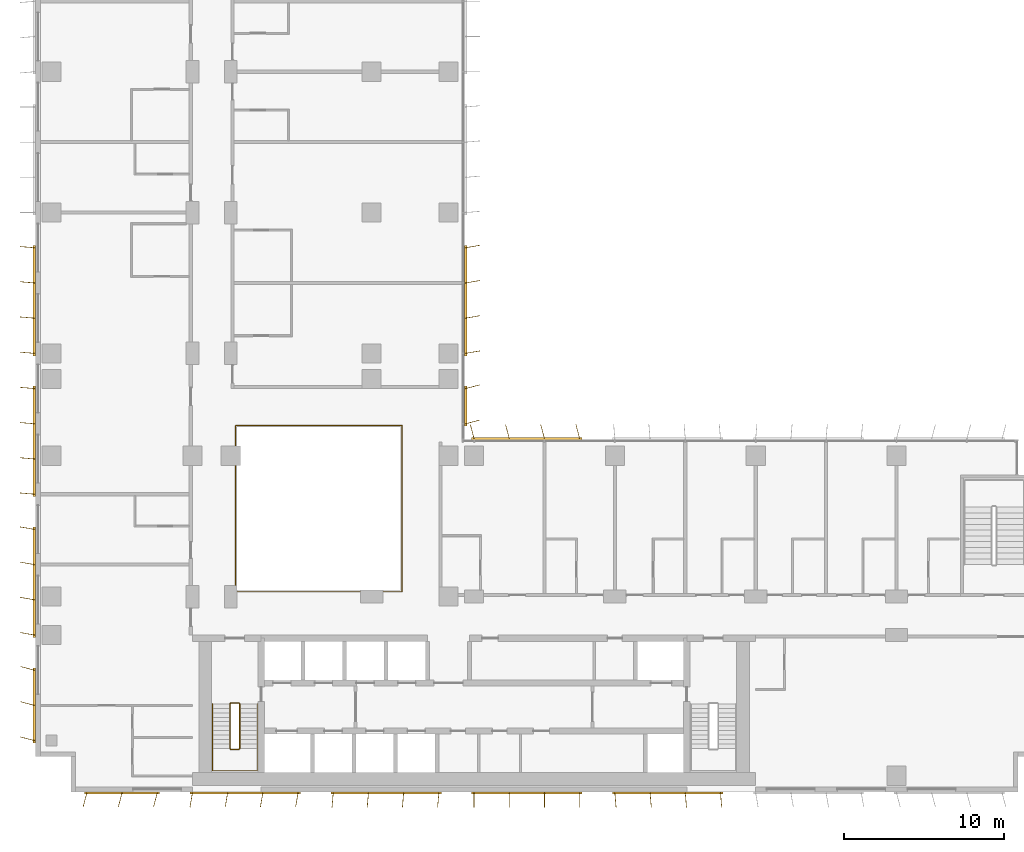
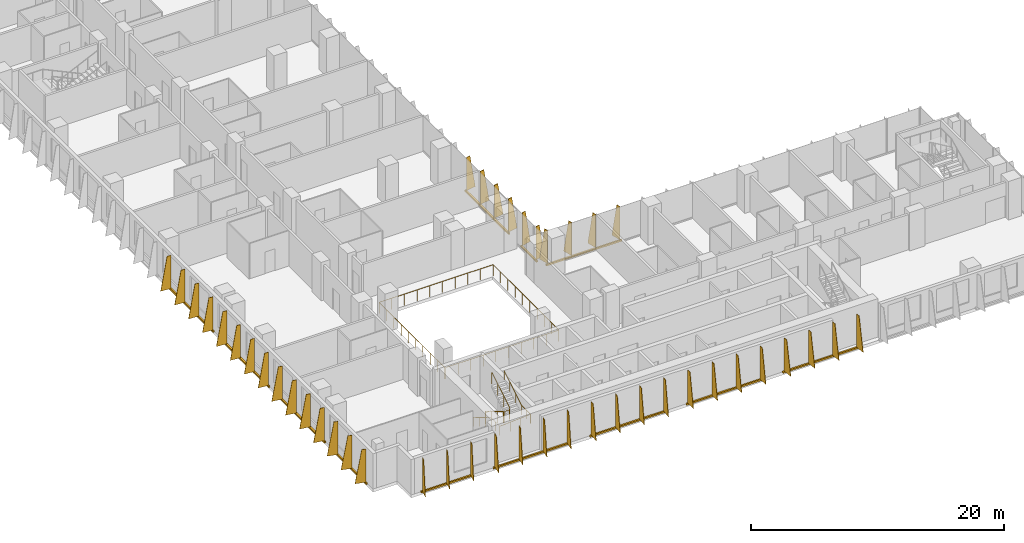
# One storey, part 19 of 22: 12 shading devices, 3 railings.
"""IFC4 building model written with IfcOpenShell, lengths in metres."""

from ifc_helpers import new_model, si_unit, direction, frame, origin, origin_2d, place, context, subcontext, project, spatial, polyline, rectangle, circle, outline, extrude, source, transform, mapped, material, layer, layer_set, type_object, element, save


model = new_model("IFC4")

# Units and contexts
model_context = context("Model", 3, precision=1e-05, world=origin(), true_north=direction((0.0, 1.0)))
body_context = subcontext(model_context, "Body", "Model", "MODEL_VIEW")
ifc_project = project(units=[si_unit("LENGTHUNIT", "METRE"), si_unit("AREAUNIT", "SQUARE_METRE"), si_unit("VOLUMEUNIT", "CUBIC_METRE"), si_unit("PLANEANGLEUNIT", "RADIAN"), si_unit("MASSUNIT", "GRAM", prefix="KILO")], contexts=[model_context])

# Site, building, storey
site_placement = place(None, origin())
site = spatial("IfcSite", under=ifc_project, at=site_placement, CompositionType="ELEMENT")
building_placement = place(site_placement, origin())
building = spatial("IfcBuilding", under=site, at=building_placement, Name="Kemantara Hotel Tower", CompositionType="ELEMENT")
storey_placement = place(building_placement, frame((0.0, 0.0, 111.10009765625)))
storey = spatial("IfcBuildingStorey", under=building, at=storey_placement, Name="L26", CompositionType="ELEMENT", Elevation=111.10009765625)

# Railings
ifc_material_1 = material(Name="Stainless steel and laminated glass balustrade", Category="steel")
railing_type_1 = type_object("IfcRailingType", Name="ATRIUM GUARD 1100", PredefinedType="GUARDRAIL", material=ifc_material_1)
railing_1_placement = place(storey_placement, frame((12.56005859375, 12.5, 0.0)))
element("IfcRailing", 1, at=railing_1_placement, inside=storey, type_object=railing_type_1, Name="ATRIUM GUARD L26", PredefinedType="GUARDRAIL", context=body_context, shape_type="SweptSolid", body=[
    extrude(circle(Radius=0.02490234375, at=origin_2d()), frame((0.0, 0.0, 1.0751953125), z_axis=(1.0, 0.0, 0.0), x_axis=(0.0, 1.0, 0.0)), (0.0, 0.0, 1.0), 10.33984375),
    extrude(circle(Radius=0.02490234375, at=origin_2d()), frame((10.33984375, 0.0, 1.0751953125), z_axis=(0.0, 1.0, 0.0), x_axis=(-1.0, 0.0, 0.0)), (0.0, 0.0, 1.0), 10.39990234375),
    extrude(circle(Radius=0.02490234375, at=origin_2d()), frame((10.33984375, 10.39990234375, 1.0751953125), z_axis=(-1.0, 0.0, 0.0), x_axis=(0.0, -1.0, 0.0)), (0.0, 0.0, 1.0), 10.39990234375),
    extrude(circle(Radius=0.02490234375, at=origin_2d()), frame((-0.06005859375, 10.39990234375, 1.0751953125), z_axis=(0.0, -1.0, 0.0), x_axis=(1.0, 0.0, 0.0)), (0.0, 0.0, 1.0), 10.39990234375),
    extrude(circle(Radius=0.02001953125, at=origin_2d()), origin(), (0.0, 0.0, 1.0), 1.050048828125),
    extrude(circle(Radius=0.02001953125, at=origin_2d()), frame((1.14892578125, 0.0, 0.0)), (0.0, 0.0, 1.0), 1.050048828125),
    extrude(circle(Radius=0.02001953125, at=origin_2d()), frame((2.2978515625, 0.0, 0.0)), (0.0, 0.0, 1.0), 1.050048828125),
    extrude(circle(Radius=0.02001953125, at=origin_2d()), frame((3.446533203125, 0.0, 0.0)), (0.0, 0.0, 1.0), 1.050048828125),
    extrude(circle(Radius=0.02001953125, at=origin_2d()), frame((4.595458984375, 0.0, 0.0)), (0.0, 0.0, 1.0), 1.050048828125),
    extrude(circle(Radius=0.02001953125, at=origin_2d()), frame((5.744384765625, 0.0, 0.0)), (0.0, 0.0, 1.0), 1.050048828125),
    extrude(circle(Radius=0.02001953125, at=origin_2d()), frame((6.893310546875, 0.0, 0.0)), (0.0, 0.0, 1.0), 1.050048828125),
    extrude(circle(Radius=0.02001953125, at=origin_2d()), frame((8.0419921875, 0.0, 0.0)), (0.0, 0.0, 1.0), 1.050048828125),
    extrude(circle(Radius=0.02001953125, at=origin_2d()), frame((9.19091796875, 0.0, 0.0)), (0.0, 0.0, 1.0), 1.050048828125),
    extrude(circle(Radius=0.02001953125, at=origin_2d()), frame((10.33984375, 0.0, 0.0)), (0.0, 0.0, 1.0), 1.050048828125),
    extrude(circle(Radius=0.02001953125, at=origin_2d()), frame((10.33984375, 1.155517578125, 0.0)), (0.0, 0.0, 1.0), 1.050048828125),
    extrude(circle(Radius=0.02001953125, at=origin_2d()), frame((10.33984375, 2.31103515625, 0.0)), (0.0, 0.0, 1.0), 1.050048828125),
    extrude(circle(Radius=0.02001953125, at=origin_2d()), frame((10.33984375, 3.466552734375, 0.0)), (0.0, 0.0, 1.0), 1.050048828125),
    extrude(circle(Radius=0.02001953125, at=origin_2d()), frame((10.33984375, 4.6220703125, 0.0)), (0.0, 0.0, 1.0), 1.050048828125),
    extrude(circle(Radius=0.02001953125, at=origin_2d()), frame((10.33984375, 5.77783203125, 0.0)), (0.0, 0.0, 1.0), 1.050048828125),
    extrude(circle(Radius=0.02001953125, at=origin_2d()), frame((10.33984375, 6.933349609375, 0.0)), (0.0, 0.0, 1.0), 1.050048828125),
    extrude(circle(Radius=0.02001953125, at=origin_2d()), frame((10.33984375, 8.0888671875, 0.0)), (0.0, 0.0, 1.0), 1.050048828125),
    extrude(circle(Radius=0.02001953125, at=origin_2d()), frame((10.33984375, 9.244384765625, 0.0)), (0.0, 0.0, 1.0), 1.050048828125),
    extrude(circle(Radius=0.02001953125, at=origin_2d()), frame((10.33984375, 10.39990234375, 0.0)), (0.0, 0.0, 1.0), 1.050048828125),
    extrude(circle(Radius=0.02001953125, at=origin_2d()), frame((9.184326171875, 10.39990234375, 0.0)), (0.0, 0.0, 1.0), 1.050048828125),
    extrude(circle(Radius=0.02001953125, at=origin_2d()), frame((8.02880859375, 10.39990234375, 0.0)), (0.0, 0.0, 1.0), 1.050048828125),
    extrude(circle(Radius=0.02001953125, at=origin_2d()), frame((6.873291015625, 10.39990234375, 0.0)), (0.0, 0.0, 1.0), 1.050048828125),
    extrude(circle(Radius=0.02001953125, at=origin_2d()), frame((5.7177734375, 10.39990234375, 0.0)), (0.0, 0.0, 1.0), 1.050048828125),
    extrude(circle(Radius=0.02001953125, at=origin_2d()), frame((4.56201171875, 10.39990234375, 0.0)), (0.0, 0.0, 1.0), 1.050048828125),
    extrude(circle(Radius=0.02001953125, at=origin_2d()), frame((3.406494140625, 10.39990234375, 0.0)), (0.0, 0.0, 1.0), 1.050048828125),
    extrude(circle(Radius=0.02001953125, at=origin_2d()), frame((2.2509765625, 10.39990234375, 0.0)), (0.0, 0.0, 1.0), 1.050048828125),
    extrude(circle(Radius=0.02001953125, at=origin_2d()), frame((1.095458984375, 10.39990234375, 0.0)), (0.0, 0.0, 1.0), 1.050048828125),
    extrude(circle(Radius=0.02001953125, at=origin_2d()), frame((-0.06005859375, 10.39990234375, 0.0)), (0.0, 0.0, 1.0), 1.050048828125),
    extrude(circle(Radius=0.02001953125, at=origin_2d()), frame((-0.06005859375, 9.244384765625, 0.0)), (0.0, 0.0, 1.0), 1.050048828125),
    extrude(circle(Radius=0.02001953125, at=origin_2d()), frame((-0.06005859375, 8.0888671875, 0.0)), (0.0, 0.0, 1.0), 1.050048828125),
    extrude(circle(Radius=0.02001953125, at=origin_2d()), frame((-0.06005859375, 6.933349609375, 0.0)), (0.0, 0.0, 1.0), 1.050048828125),
    extrude(circle(Radius=0.02001953125, at=origin_2d()), frame((-0.06005859375, 5.77783203125, 0.0)), (0.0, 0.0, 1.0), 1.050048828125),
    extrude(circle(Radius=0.02001953125, at=origin_2d()), frame((-0.06005859375, 4.6220703125, 0.0)), (0.0, 0.0, 1.0), 1.050048828125),
    extrude(circle(Radius=0.02001953125, at=origin_2d()), frame((-0.06005859375, 3.466552734375, 0.0)), (0.0, 0.0, 1.0), 1.050048828125),
    extrude(circle(Radius=0.02001953125, at=origin_2d()), frame((-0.06005859375, 2.31103515625, 0.0)), (0.0, 0.0, 1.0), 1.050048828125),
    extrude(circle(Radius=0.02001953125, at=origin_2d()), frame((-0.06005859375, 1.155517578125, 0.0)), (0.0, 0.0, 1.0), 1.050048828125),
    extrude(circle(Radius=0.02001953125, at=origin_2d()), frame((-0.06005859375, 0.0, 0.0)), (0.0, 0.0, 1.0), 1.050048828125),
])
ifc_material_2 = material(Name="Stainless steel balustrade", Category="steel")
railing_type_2 = type_object("IfcRailingType", Name="Stair guard 1100 mm", PredefinedType="GUARDRAIL", material=ifc_material_2)
railing_2_placement = place(storey_placement, frame((12.75, 5.5, 3.699951171875)))
element("IfcRailing", 2, at=railing_2_placement, inside=storey, type_object=railing_type_2, Name="L26 ST1 stair guard 1", PredefinedType="GUARDRAIL", context=body_context, shape_type="SweptSolid", body=[
    extrude(circle(Radius=0.02392578125, at=origin_2d()), frame((0.0, 0.0, 1.076171875), z_axis=(0.0, -0.857242210791, -0.514913383045), x_axis=(1.0, 0.0, 0.0)), (0.0, 0.0, 1.0), 3.266357421875),
    extrude(circle(Radius=0.02392578125, at=origin_2d()), frame((0.0, -2.800048828125, -0.60595703125), z_axis=(-0.274243871929, -0.274243871929, -0.92172696468), x_axis=(0.707106781187, -0.707106781187, 0.0)), (0.0, 0.0, 1.0), 0.1826171875),
    extrude(circle(Radius=0.02392578125, at=origin_2d()), frame((-0.050048828125, -2.85009765625, -0.77392578125), z_axis=(-1.0, 0.0, 0.0), x_axis=(0.0, -1.0, 0.0)), (0.0, 0.0, 1.0), 0.5),
    extrude(circle(Radius=0.02392578125, at=origin_2d()), frame((-0.550048828125, -2.85009765625, -0.77392578125), z_axis=(-0.707106781187, 0.707106781187, 0.0), x_axis=(-0.707106781187, -0.707106781187, 0.0)), (0.0, 0.0, 1.0), 0.07080078125),
    extrude(circle(Radius=0.02392578125, at=origin_2d()), frame((-0.60009765625, -2.800048828125, -0.77392578125), z_axis=(0.0, 0.857242210791, -0.514913383045), x_axis=(-1.0, 0.0, 0.0)), (0.0, 0.0, 1.0), 3.266357421875),
    extrude(circle(Radius=0.02392578125, at=origin_2d()), frame((-0.60009765625, 0.0, -2.4560546875), z_axis=(0.274582412415, 0.274582412415, -0.921525364591), x_axis=(-0.707106781187, 0.707106781187, 0.0)), (0.0, 0.0, 1.0), 0.182373046875),
    extrude(circle(Radius=0.02392578125, at=origin_2d()), frame((-0.550048828125, 0.050048828125, -2.6240234375), z_axis=(1.0, 0.0, 0.0), x_axis=(0.0, 1.0, 0.0)), (0.0, 0.0, 1.0), 0.5),
    extrude(circle(Radius=0.02099609375, at=origin_2d()), origin(), (0.0, 0.0, 1.0), 1.052001953125),
    extrude(circle(Radius=0.02099609375, at=origin_2d()), frame((0.0, -0.933349609375, -0.560546875)), (0.0, 0.0, 1.0), 1.052001953125),
    extrude(circle(Radius=0.02099609375, at=origin_2d()), frame((0.0, -1.86669921875, -1.121337890625)), (0.0, 0.0, 1.0), 1.052001953125),
    extrude(circle(Radius=0.02099609375, at=origin_2d()), frame((0.0, -2.800048828125, -1.681884765625)), (0.0, 0.0, 1.0), 1.052001953125),
    extrude(circle(Radius=0.02099609375, at=origin_2d()), frame((-0.050048828125, -2.85009765625, -1.85009765625)), (0.0, 0.0, 1.0), 1.052001953125),
    extrude(circle(Radius=0.02099609375, at=origin_2d()), frame((-0.550048828125, -2.85009765625, -1.85009765625)), (0.0, 0.0, 1.0), 1.052001953125),
    extrude(circle(Radius=0.02099609375, at=origin_2d()), frame((-0.60009765625, -2.800048828125, -1.85009765625)), (0.0, 0.0, 1.0), 1.052001953125),
    extrude(circle(Radius=0.02099609375, at=origin_2d()), frame((-0.60009765625, -1.86669921875, -2.41064453125)), (0.0, 0.0, 1.0), 1.052001953125),
    extrude(circle(Radius=0.02099609375, at=origin_2d()), frame((-0.60009765625, -0.933349609375, -2.971435546875)), (0.0, 0.0, 1.0), 1.052001953125),
    extrude(circle(Radius=0.02099609375, at=origin_2d()), frame((-0.60009765625, 0.0, -3.531982421875)), (0.0, 0.0, 1.0), 1.052001953125),
    extrude(circle(Radius=0.02099609375, at=origin_2d()), frame((-0.550048828125, 0.050048828125, -3.699951171875)), (0.0, 0.0, 1.0), 1.052001953125),
    extrude(circle(Radius=0.02099609375, at=origin_2d()), frame((-0.050048828125, 0.050048828125, -3.699951171875)), (0.0, 0.0, 1.0), 1.052001953125),
])
railing_type_3 = type_object("IfcRailingType", Name="Stair handrail 900 mm", PredefinedType="HANDRAIL", material=ifc_material_2)
railing_3_placement = place(storey_placement, frame((11.050048828125, 5.5, 0.16796875)))
element("IfcRailing", 3, at=railing_3_placement, inside=storey, type_object=railing_type_3, Name="L26 ST1 stair handrail 1", PredefinedType="HANDRAIL", context=body_context, shape_type="SweptSolid", body=[
    extrude(circle(Radius=0.02392578125, at=origin_2d()), frame((0.0, 0.0, 0.8759765625), z_axis=(0.0, -0.857242210791, 0.514913383045), x_axis=(1.0, 0.0, 0.0)), (0.0, 0.0, 1.0), 3.266357421875),
    extrude(circle(Radius=0.02392578125, at=origin_2d()), frame((0.0, -2.800048828125, 2.5576171875), z_axis=(0.0, -1.0, 0.0), x_axis=(1.0, 0.0, 0.0)), (0.0, 0.0, 1.0), 1.3798828125),
    extrude(circle(Radius=0.02392578125, at=origin_2d()), frame((0.0, -4.179931640625, 2.5576171875), z_axis=(0.998200367801, 0.0, 0.059966871865), x_axis=(0.0, 1.0, 0.0)), (0.0, 0.0, 1.0), 2.80517578125),
    extrude(circle(Radius=0.02392578125, at=origin_2d()), frame((2.800048828125, -4.179931640625, 2.72607421875), z_axis=(0.0, 1.0, 0.0), x_axis=(-1.0, 0.0, 0.0)), (0.0, 0.0, 1.0), 1.3798828125),
    extrude(circle(Radius=0.02392578125, at=origin_2d()), frame((2.800048828125, -2.800048828125, 2.72607421875), z_axis=(0.0, 0.857242210791, 0.514913383045), x_axis=(-1.0, 0.0, 0.0)), (0.0, 0.0, 1.0), 3.266357421875),
    extrude(circle(Radius=0.02099609375, at=origin_2d()), origin(), (0.0, 0.0, 1.0), 0.851806640625),
    extrude(circle(Radius=0.02099609375, at=origin_2d()), frame((0.0, -0.933349609375, 0.560546875)), (0.0, 0.0, 1.0), 0.851806640625),
    extrude(circle(Radius=0.02099609375, at=origin_2d()), frame((0.0, -1.86669921875, 1.121337890625)), (0.0, 0.0, 1.0), 0.851806640625),
    extrude(circle(Radius=0.02099609375, at=origin_2d()), frame((0.0, -2.800048828125, 1.681884765625)), (0.0, 0.0, 1.0), 0.851806640625),
    extrude(circle(Radius=0.02099609375, at=origin_2d()), frame((0.0, -3.489990234375, 1.681884765625)), (0.0, 0.0, 1.0), 0.851806640625),
    extrude(circle(Radius=0.02099609375, at=origin_2d()), frame((0.0, -4.179931640625, 1.681884765625)), (0.0, 0.0, 1.0), 0.851806640625),
    extrude(circle(Radius=0.02099609375, at=origin_2d()), frame((0.933349609375, -4.179931640625, 1.738037109375)), (0.0, 0.0, 1.0), 0.851806640625),
    extrude(circle(Radius=0.02099609375, at=origin_2d()), frame((1.86669921875, -4.179931640625, 1.7939453125)), (0.0, 0.0, 1.0), 0.851806640625),
    extrude(circle(Radius=0.02099609375, at=origin_2d()), frame((2.800048828125, -4.179931640625, 1.85009765625)), (0.0, 0.0, 1.0), 0.851806640625),
    extrude(circle(Radius=0.02099609375, at=origin_2d()), frame((2.800048828125, -3.489990234375, 1.85009765625)), (0.0, 0.0, 1.0), 0.851806640625),
    extrude(circle(Radius=0.02099609375, at=origin_2d()), frame((2.800048828125, -2.800048828125, 1.85009765625)), (0.0, 0.0, 1.0), 0.851806640625),
    extrude(circle(Radius=0.02099609375, at=origin_2d()), frame((2.800048828125, -1.86669921875, 2.41064453125)), (0.0, 0.0, 1.0), 0.851806640625),
    extrude(circle(Radius=0.02099609375, at=origin_2d()), frame((2.800048828125, -0.933349609375, 2.971435546875)), (0.0, 0.0, 1.0), 0.851806640625),
    extrude(circle(Radius=0.02099609375, at=origin_2d()), frame((2.800048828125, 0.0, 3.531982421875)), (0.0, 0.0, 1.0), 0.851806640625),
])

# Shading devices
ifc_material_3 = material(Name="Perforated aluminium plate 4 mm bronze anodised", Category="aluminium")
ifc_layer_1 = layer(ifc_material_3, 0.0400390625)
ifc_layer_set_1 = layer_set([ifc_layer_1], Name="Perforated aluminium plate 4 mm bronze anodised")
shading_device_type_1 = type_object("IfcShadingDeviceType", Name="SCREEN FIN CASSETTE, 3 BLADES AT -15.0 DEG, 3200 HIGH", PredefinedType="USERDEFINED", material=ifc_layer_set_1)
shared_shape_1 = source(origin(), body_context, "Body", "SweptSolid", [
    extrude(rectangle(XDim=4.699951171875, YDim=0.14990234375, at=origin_2d()), frame((2.199951171875, -0.074951171875, -0.14990234375), z_axis=(0.0, 0.0, 1.0), x_axis=(1.0, 0.0, 0.0)), (0.0, 0.0, 1.0), 0.14990234375),
    extrude(outline(polyline([(0.0, 0.0), (0.89990234375, 0.0), (0.35009765625, 3.199951171875), (0.0, 3.199951171875), (0.0, 0.0)])), frame((0.019287109375, -0.080078125, 0.0), z_axis=(-0.966437683387, 0.256901156343, 0.0), x_axis=(-0.256901156343, -0.966437683387, 0.0)), (0.0, 0.0, 1.0), 0.039794921875),
    extrude(outline(polyline([(0.0, 0.0), (0.89990234375, 0.0), (0.35009765625, 3.199951171875), (0.0, 3.199951171875), (0.0, 0.0)])), frame((2.21923828125, -0.080078125, 0.0), z_axis=(-0.966437683387, 0.256901156343, 0.0), x_axis=(-0.256901156343, -0.966437683387, 0.0)), (0.0, 0.0, 1.0), 0.039794921875),
    extrude(outline(polyline([(0.0, 0.0), (0.89990234375, 0.0), (0.35009765625, 3.199951171875), (0.0, 3.199951171875), (0.0, 0.0)])), frame((4.41943359375, -0.080078125, 0.0), z_axis=(-0.966837822169, 0.255391122837, 0.0), x_axis=(-0.255391122837, -0.966837822169, 0.0)), (0.0, 0.0, 1.0), 0.0400390625),
])
for number, where, z_axis, x_axis, name in (
    (4, (0.0, 7.60009765625, 0.099853515625), (0.0, 0.0, 1.0), (0.0, -1.0, 0.0), "SCREEN FIN CASSETTE L26 T2-R04-9"),
    (5, (3.199951171875, 0.0, 0.099853515625), (0.0, 0.0, 1.0), (1.0, 0.0, 0.0), "SCREEN FIN CASSETTE L26 T2-R07-1"),
):
    element("IfcShadingDevice", number, at=place(storey_placement, frame(where, z_axis=z_axis, x_axis=x_axis)), inside=storey, type_object=shading_device_type_1, Name=name, ObjectType="SCREEN FIN", PredefinedType="USERDEFINED", context=body_context, shape_type="MappedRepresentation", body=[
        mapped(shared_shape_1, transform((0.0, 0.0, 0.0))),
    ])
ifc_layer_2 = layer(ifc_material_3, 0.0400390625)
ifc_layer_set_2 = layer_set([ifc_layer_2], Name="Perforated aluminium plate 4 mm bronze anodised")
shading_device_type_2 = type_object("IfcShadingDeviceType", Name="SCREEN FIN CASSETTE, 4 BLADES AT -10.0 DEG, 3200 HIGH", PredefinedType="USERDEFINED", material=ifc_layer_set_2)
shared_shape_2 = source(origin(), body_context, "Body", "SweptSolid", [
    extrude(rectangle(XDim=6.89990234375, YDim=0.14990234375, at=origin_2d()), frame((3.300048828125, -0.074951171875, -0.14990234375), z_axis=(0.0, 0.0, 1.0), x_axis=(1.0, 0.0, 0.0)), (0.0, 0.0, 1.0), 0.14990234375),
    extrude(outline(polyline([(0.0, 0.0), (0.89990234375, 0.0), (0.35009765625, 3.199951171875), (0.0, 3.199951171875), (0.0, 0.0)])), frame((0.019775390625, -0.078369140625, 0.0), z_axis=(-0.985389793052, 0.170314285219, 0.0), x_axis=(-0.170314285219, -0.985389793052, 0.0)), (0.0, 0.0, 1.0), 0.0400390625),
    extrude(outline(polyline([(0.0, 0.0), (0.89990234375, 0.0), (0.35009765625, 3.199951171875), (0.0, 3.199951171875), (0.0, 0.0)])), frame((2.2197265625, -0.078369140625, 0.0), z_axis=(-0.98521175482, 0.171341174751, 0.0), x_axis=(-0.171341174751, -0.98521175482, 0.0)), (0.0, 0.0, 1.0), 0.039794921875),
    extrude(outline(polyline([(0.0, 0.0), (0.89990234375, 0.0), (0.35009765625, 3.199951171875), (0.0, 3.199951171875), (0.0, 0.0)])), frame((4.419677734375, -0.078369140625, 0.0), z_axis=(-0.98521175482, 0.171341174751, 0.0), x_axis=(-0.171341174751, -0.98521175482, 0.0)), (0.0, 0.0, 1.0), 0.039794921875),
    extrude(outline(polyline([(0.0, 0.0), (0.89990234375, 0.0), (0.35009765625, 3.199951171875), (0.0, 3.199951171875), (0.0, 0.0)])), frame((6.61962890625, -0.078369140625, 0.0), z_axis=(-0.98521175482, 0.171341174751, 0.0), x_axis=(-0.171341174751, -0.98521175482, 0.0)), (0.0, 0.0, 1.0), 0.039794921875),
])
for number, where, z_axis, x_axis, name in (
    (6, (0.0, 16.39990234375, 0.099853515625), (0.0, 0.0, 1.0), (0.0, -1.0, 0.0), "SCREEN FIN CASSETTE L26 T2-R04-8"),
    (7, (9.800048828125, 0.0, 0.099853515625), (0.0, 0.0, 1.0), (1.0, 0.0, 0.0), "SCREEN FIN CASSETTE L26 T2-R07-2"),
):
    element("IfcShadingDevice", number, at=place(storey_placement, frame(where, z_axis=z_axis, x_axis=x_axis)), inside=storey, type_object=shading_device_type_2, Name=name, ObjectType="SCREEN FIN", PredefinedType="USERDEFINED", context=body_context, shape_type="MappedRepresentation", body=[
        mapped(shared_shape_2, transform((0.0, 0.0, 0.0))),
    ])
ifc_layer_3 = layer(ifc_material_3, 0.0400390625)
ifc_layer_set_3 = layer_set([ifc_layer_3], Name="Perforated aluminium plate 4 mm bronze anodised")
shading_device_type_3 = type_object("IfcShadingDeviceType", Name="SCREEN FIN CASSETTE, 4 BLADES AT -5.0 DEG, 3200 HIGH", PredefinedType="USERDEFINED", material=ifc_layer_set_3)
shared_shape_3 = source(origin(), body_context, "Body", "SweptSolid", [
    extrude(rectangle(XDim=6.89990234375, YDim=0.14990234375, at=origin_2d()), frame((3.300048828125, -0.074951171875, -0.14990234375), z_axis=(0.0, 0.0, 1.0), x_axis=(1.0, 0.0, 0.0)), (0.0, 0.0, 1.0), 0.14990234375),
    extrude(outline(polyline([(0.0, 0.0), (0.89990234375, 0.0), (0.35009765625, 3.199951171875), (0.0, 3.199951171875), (0.0, 0.0)])), frame((0.02001953125, -0.07666015625, 0.0), z_axis=(-0.996376129781, 0.085056498884, 0.0), x_axis=(-0.085056498884, -0.996376129781, 0.0)), (0.0, 0.0, 1.0), 0.040283203125),
    extrude(outline(polyline([(0.0, 0.0), (0.89990234375, 0.0), (0.35009765625, 3.199951171875), (0.0, 3.199951171875), (0.0, 0.0)])), frame((2.219970703125, -0.07666015625, 0.0), z_axis=(-0.996331773833, 0.085574508182, 0.0), x_axis=(-0.085574508182, -0.996331773833, 0.0)), (0.0, 0.0, 1.0), 0.0400390625),
    extrude(outline(polyline([(0.0, 0.0), (0.89990234375, 0.0), (0.35009765625, 3.199951171875), (0.0, 3.199951171875), (0.0, 0.0)])), frame((4.419921875, -0.07666015625, 0.0), z_axis=(-0.996331773833, 0.085574508182, 0.0), x_axis=(-0.085574508182, -0.996331773833, 0.0)), (0.0, 0.0, 1.0), 0.0400390625),
    extrude(outline(polyline([(0.0, 0.0), (0.89990234375, 0.0), (0.35009765625, 3.199951171875), (0.0, 3.199951171875), (0.0, 0.0)])), frame((6.619873046875, -0.07666015625, 0.0), z_axis=(-0.996331773833, 0.085574508182, 0.0), x_axis=(-0.085574508182, -0.996331773833, 0.0)), (0.0, 0.0, 1.0), 0.0400390625),
])
for number, where, z_axis, x_axis, name in (
    (8, (0.0, 34.0, 0.099853515625), (0.0, 0.0, 1.0), (0.0, -1.0, 0.0), "SCREEN FIN CASSETTE L26 T2-R04-6"),
    (9, (0.0, 25.199951171875, 0.099853515625), (0.0, 0.0, 1.0), (0.0, -1.0, 0.0), "SCREEN FIN CASSETTE L26 T2-R04-7"),
    (10, (18.60009765625, 0.0, 0.099853515625), (0.0, 0.0, 1.0), (1.0, 0.0, 0.0), "SCREEN FIN CASSETTE L26 T2-R07-3"),
):
    element("IfcShadingDevice", number, at=place(storey_placement, frame(where, z_axis=z_axis, x_axis=x_axis)), inside=storey, type_object=shading_device_type_3, Name=name, ObjectType="SCREEN FIN", PredefinedType="USERDEFINED", context=body_context, shape_type="MappedRepresentation", body=[
        mapped(shared_shape_3, transform((0.0, 0.0, 0.0))),
    ])
ifc_layer_4 = layer(ifc_material_3, 0.0400390625)
ifc_layer_set_4 = layer_set([ifc_layer_4], Name="Perforated aluminium plate 4 mm bronze anodised")
shading_device_type_4 = type_object("IfcShadingDeviceType", Name="SCREEN FIN CASSETTE, 4 BLADES AT +0.0 DEG, 3200 HIGH", PredefinedType="USERDEFINED", material=ifc_layer_set_4)
shared_shape_4 = source(origin(), body_context, "Body", "SweptSolid", [
    extrude(rectangle(XDim=6.89990234375, YDim=0.14990234375, at=origin_2d()), frame((3.300048828125, -0.074951171875, -0.14990234375), z_axis=(0.0, 0.0, 1.0), x_axis=(1.0, 0.0, 0.0)), (0.0, 0.0, 1.0), 0.14990234375),
    extrude(outline(polyline([(0.0, 0.0), (0.89990234375, 0.0), (0.35009765625, 3.199951171875), (0.0, 3.199951171875), (0.0, 0.0)])), frame((0.02001953125, -0.074951171875, 0.0), z_axis=(-1.0, 0.0, 0.0), x_axis=(0.0, -1.0, 0.0)), (0.0, 0.0, 1.0), 0.0400390625),
    extrude(outline(polyline([(0.0, 0.0), (0.89990234375, 0.0), (0.35009765625, 3.199951171875), (0.0, 3.199951171875), (0.0, 0.0)])), frame((2.219970703125, -0.074951171875, 0.0), z_axis=(-1.0, 0.0, 0.0), x_axis=(0.0, -1.0, 0.0)), (0.0, 0.0, 1.0), 0.0400390625),
    extrude(outline(polyline([(0.0, 0.0), (0.89990234375, 0.0), (0.35009765625, 3.199951171875), (0.0, 3.199951171875), (0.0, 0.0)])), frame((4.419921875, -0.074951171875, 0.0), z_axis=(-1.0, 0.0, 0.0), x_axis=(0.0, -1.0, 0.0)), (0.0, 0.0, 1.0), 0.0400390625),
    extrude(outline(polyline([(0.0, 0.0), (0.89990234375, 0.0), (0.35009765625, 3.199951171875), (0.0, 3.199951171875), (0.0, 0.0)])), frame((6.6201171875, -0.074951171875, 0.0), z_axis=(-1.0, 0.0, 0.0), x_axis=(0.0, -1.0, 0.0)), (0.0, 0.0, 1.0), 0.0400390625),
])
shading_device_1_placement = place(storey_placement, frame((27.39990234375, 0.0, 0.099853515625), z_axis=(0.0, 0.0, 1.0), x_axis=(1.0, 0.0, 0.0)))
element("IfcShadingDevice", 11, at=shading_device_1_placement, inside=storey, type_object=shading_device_type_4, Name="SCREEN FIN CASSETTE L26 T2-R07-4", ObjectType="SCREEN FIN", PredefinedType="USERDEFINED", context=body_context, shape_type="MappedRepresentation", body=[
    mapped(shared_shape_4, transform((0.0, 0.0, 0.0))),
])
ifc_layer_5 = layer(ifc_material_3, 0.0400390625)
ifc_layer_set_5 = layer_set([ifc_layer_5], Name="Perforated aluminium plate 4 mm bronze anodised")
shading_device_type_5 = type_object("IfcShadingDeviceType", Name="SCREEN FIN CASSETTE, 4 BLADES AT +5.0 DEG, 3200 HIGH", PredefinedType="USERDEFINED", material=ifc_layer_set_5)
shared_shape_5 = source(origin(), body_context, "Body", "SweptSolid", [
    extrude(rectangle(XDim=6.89990234375, YDim=0.14990234375, at=origin_2d()), frame((3.300048828125, -0.074951171875, -0.14990234375), z_axis=(0.0, 0.0, 1.0), x_axis=(1.0, 0.0, 0.0)), (0.0, 0.0, 1.0), 0.14990234375),
    extrude(outline(polyline([(0.0, 0.0), (0.89990234375, 0.0), (0.35009765625, 3.199951171875), (0.0, 3.199951171875), (0.0, 0.0)])), frame((0.02001953125, -0.0732421875, 0.0), z_axis=(-0.996376129781, -0.085056498884, 0.0), x_axis=(0.085056498884, -0.996376129781, 0.0)), (0.0, 0.0, 1.0), 0.040283203125),
    extrude(outline(polyline([(0.0, 0.0), (0.89990234375, 0.0), (0.35009765625, 3.199951171875), (0.0, 3.199951171875), (0.0, 0.0)])), frame((2.219970703125, -0.0732421875, 0.0), z_axis=(-0.996331773833, -0.085574508182, 0.0), x_axis=(0.085574508182, -0.996331773833, 0.0)), (0.0, 0.0, 1.0), 0.0400390625),
    extrude(outline(polyline([(0.0, 0.0), (0.89990234375, 0.0), (0.35009765625, 3.199951171875), (0.0, 3.199951171875), (0.0, 0.0)])), frame((4.419921875, -0.0732421875, 0.0), z_axis=(-0.996331773833, -0.085574508182, 0.0), x_axis=(0.085574508182, -0.996331773833, 0.0)), (0.0, 0.0, 1.0), 0.0400390625),
    extrude(outline(polyline([(0.0, 0.0), (0.89990234375, 0.0), (0.35009765625, 3.199951171875), (0.0, 3.199951171875), (0.0, 0.0)])), frame((6.619873046875, -0.0732421875, 0.0), z_axis=(-0.996331773833, -0.085574508182, 0.0), x_axis=(0.085574508182, -0.996331773833, 0.0)), (0.0, 0.0, 1.0), 0.0400390625),
])
shading_device_2_placement = place(storey_placement, frame((36.199951171875, 0.0, 0.099853515625), z_axis=(0.0, 0.0, 1.0), x_axis=(1.0, 0.0, 0.0)))
element("IfcShadingDevice", 12, at=shading_device_2_placement, inside=storey, type_object=shading_device_type_5, Name="SCREEN FIN CASSETTE L26 T2-R07-5", ObjectType="SCREEN FIN", PredefinedType="USERDEFINED", context=body_context, shape_type="MappedRepresentation", body=[
    mapped(shared_shape_5, transform((0.0, 0.0, 0.0))),
])
ifc_layer_6 = layer(ifc_material_3, 0.0400390625)
ifc_layer_set_6 = layer_set([ifc_layer_6], Name="Perforated aluminium plate 4 mm bronze anodised")
shading_device_type_6 = type_object("IfcShadingDeviceType", Name="SCREEN FIN CASSETTE, 4 BLADES AT +10.0 DEG, 3200 HIGH", PredefinedType="USERDEFINED", material=ifc_layer_set_6)
shared_shape_6 = source(origin(), body_context, "Body", "SweptSolid", [
    extrude(rectangle(XDim=6.89990234375, YDim=0.14990234375, at=origin_2d()), frame((3.300048828125, -0.074951171875, -0.14990234375), z_axis=(0.0, 0.0, 1.0), x_axis=(1.0, 0.0, 0.0)), (0.0, 0.0, 1.0), 0.14990234375),
    extrude(outline(polyline([(0.0, 0.0), (0.89990234375, 0.0), (0.35009765625, 3.199951171875), (0.0, 3.199951171875), (0.0, 0.0)])), frame((0.019775390625, -0.071533203125, 0.0), z_axis=(-0.985389793052, -0.170314285219, 0.0), x_axis=(0.170314285219, -0.985389793052, 0.0)), (0.0, 0.0, 1.0), 0.0400390625),
    extrude(outline(polyline([(0.0, 0.0), (0.89990234375, 0.0), (0.35009765625, 3.199951171875), (0.0, 3.199951171875), (0.0, 0.0)])), frame((2.2197265625, -0.071533203125, 0.0), z_axis=(-0.98521175482, -0.171341174751, 0.0), x_axis=(0.171341174751, -0.98521175482, 0.0)), (0.0, 0.0, 1.0), 0.039794921875),
    extrude(outline(polyline([(0.0, 0.0), (0.89990234375, 0.0), (0.35009765625, 3.199951171875), (0.0, 3.199951171875), (0.0, 0.0)])), frame((4.419677734375, -0.071533203125, 0.0), z_axis=(-0.98521175482, -0.171341174751, 0.0), x_axis=(0.171341174751, -0.98521175482, 0.0)), (0.0, 0.0, 1.0), 0.039794921875),
    extrude(outline(polyline([(0.0, 0.0), (0.89990234375, 0.0), (0.35009765625, 3.199951171875), (0.0, 3.199951171875), (0.0, 0.0)])), frame((6.61962890625, -0.071533203125, 0.0), z_axis=(-0.98521175482, -0.171341174751, 0.0), x_axis=(0.171341174751, -0.98521175482, 0.0)), (0.0, 0.0, 1.0), 0.039794921875),
])
shading_device_3_placement = place(storey_placement, frame((26.800048828125, 27.39990234375, 0.099853515625), z_axis=(0.0, 0.0, 1.0), x_axis=(0.0, 1.0, 0.0)))
element("IfcShadingDevice", 13, at=shading_device_3_placement, inside=storey, type_object=shading_device_type_6, Name="SCREEN FIN CASSETTE L26 T2-R14-2", ObjectType="SCREEN FIN", PredefinedType="USERDEFINED", context=body_context, shape_type="MappedRepresentation", body=[
    mapped(shared_shape_6, transform((0.0, 0.0, 0.0))),
])
ifc_layer_7 = layer(ifc_material_3, 0.0400390625)
ifc_layer_set_7 = layer_set([ifc_layer_7], Name="Perforated aluminium plate 4 mm bronze anodised")
shading_device_type_7 = type_object("IfcShadingDeviceType", Name="SCREEN FIN CASSETTE, 4 BLADES AT +15.0 DEG, 3200 HIGH", PredefinedType="USERDEFINED", material=ifc_layer_set_7)
shared_shape_7 = source(origin(), body_context, "Body", "SweptSolid", [
    extrude(rectangle(XDim=6.89990234375, YDim=0.14990234375, at=origin_2d()), frame((3.300048828125, -0.074951171875, -0.14990234375), z_axis=(0.0, 0.0, 1.0), x_axis=(1.0, 0.0, 0.0)), (0.0, 0.0, 1.0), 0.14990234375),
    extrude(outline(polyline([(0.0, 0.0), (0.89990234375, 0.0), (0.35009765625, 3.199951171875), (0.0, 3.199951171875), (0.0, 0.0)])), frame((0.019287109375, -0.06982421875, 0.0), z_axis=(-0.966437683387, -0.256901156343, 0.0), x_axis=(0.256901156343, -0.966437683387, 0.0)), (0.0, 0.0, 1.0), 0.039794921875),
    extrude(outline(polyline([(0.0, 0.0), (0.89990234375, 0.0), (0.35009765625, 3.199951171875), (0.0, 3.199951171875), (0.0, 0.0)])), frame((2.21923828125, -0.06982421875, 0.0), z_axis=(-0.966437683387, -0.256901156343, 0.0), x_axis=(0.256901156343, -0.966437683387, 0.0)), (0.0, 0.0, 1.0), 0.039794921875),
    extrude(outline(polyline([(0.0, 0.0), (0.89990234375, 0.0), (0.35009765625, 3.199951171875), (0.0, 3.199951171875), (0.0, 0.0)])), frame((4.41943359375, -0.06982421875, 0.0), z_axis=(-0.966837822169, -0.255391122837, 0.0), x_axis=(0.255391122837, -0.966837822169, 0.0)), (0.0, 0.0, 1.0), 0.0400390625),
    extrude(outline(polyline([(0.0, 0.0), (0.89990234375, 0.0), (0.35009765625, 3.199951171875), (0.0, 3.199951171875), (0.0, 0.0)])), frame((6.619384765625, -0.06982421875, 0.0), z_axis=(-0.966837822169, -0.255391122837, 0.0), x_axis=(0.255391122837, -0.966837822169, 0.0)), (0.0, 0.0, 1.0), 0.0400390625),
])
shading_device_4_placement = place(storey_placement, frame((34.0, 22.0, 0.099853515625), z_axis=(0.0, 0.0, 1.0), x_axis=(-1.0, 0.0, 0.0)))
element("IfcShadingDevice", 14, at=shading_device_4_placement, inside=storey, type_object=shading_device_type_7, Name="SCREEN FIN CASSETTE L26 T2-R13-4", ObjectType="SCREEN FIN", PredefinedType="USERDEFINED", context=body_context, shape_type="MappedRepresentation", body=[
    mapped(shared_shape_7, transform((0.0, 0.0, 0.0))),
])
ifc_layer_8 = layer(ifc_material_3, 0.0400390625)
ifc_layer_set_8 = layer_set([ifc_layer_8], Name="Perforated aluminium plate 4 mm bronze anodised")
shading_device_type_8 = type_object("IfcShadingDeviceType", Name="SCREEN FIN CASSETTE, 2 BLADES AT +15.0 DEG, 3200 HIGH", PredefinedType="USERDEFINED", material=ifc_layer_set_8)
shared_shape_8 = source(origin(), body_context, "Body", "SweptSolid", [
    extrude(rectangle(XDim=2.5, YDim=0.14990234375, at=origin_2d()), frame((1.10009765625, -0.074951171875, -0.14990234375), z_axis=(0.0, 0.0, 1.0), x_axis=(1.0, 0.0, 0.0)), (0.0, 0.0, 1.0), 0.14990234375),
    extrude(outline(polyline([(0.0, 0.0), (0.89990234375, 0.0), (0.35009765625, 3.199951171875), (0.0, 3.199951171875), (0.0, 0.0)])), frame((0.019287109375, -0.06982421875, 0.0), z_axis=(-0.966437683387, -0.256901156343, 0.0), x_axis=(0.256901156343, -0.966437683387, 0.0)), (0.0, 0.0, 1.0), 0.039794921875),
    extrude(outline(polyline([(0.0, 0.0), (0.89990234375, 0.0), (0.35009765625, 3.199951171875), (0.0, 3.199951171875), (0.0, 0.0)])), frame((2.21923828125, -0.06982421875, 0.0), z_axis=(-0.966437683387, -0.256901156343, 0.0), x_axis=(0.256901156343, -0.966437683387, 0.0)), (0.0, 0.0, 1.0), 0.039794921875),
])
shading_device_5_placement = place(storey_placement, frame((26.800048828125, 23.0, 0.099853515625), z_axis=(0.0, 0.0, 1.0), x_axis=(0.0, 1.0, 0.0)))
element("IfcShadingDevice", 15, at=shading_device_5_placement, inside=storey, type_object=shading_device_type_8, Name="SCREEN FIN CASSETTE L26 T2-R14-1", ObjectType="SCREEN FIN", PredefinedType="USERDEFINED", context=body_context, shape_type="MappedRepresentation", body=[
    mapped(shared_shape_8, transform((0.0, 0.0, 0.0))),
])

save(model, "model.ifc")
